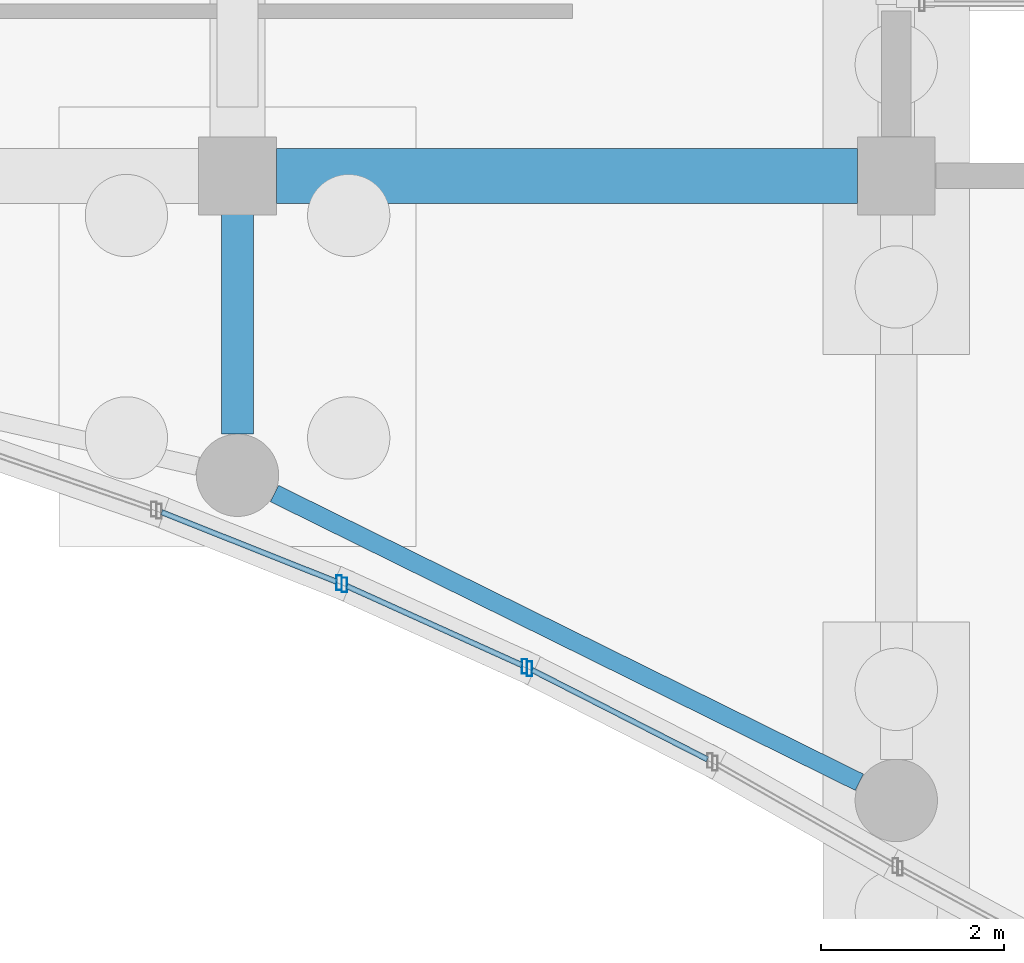
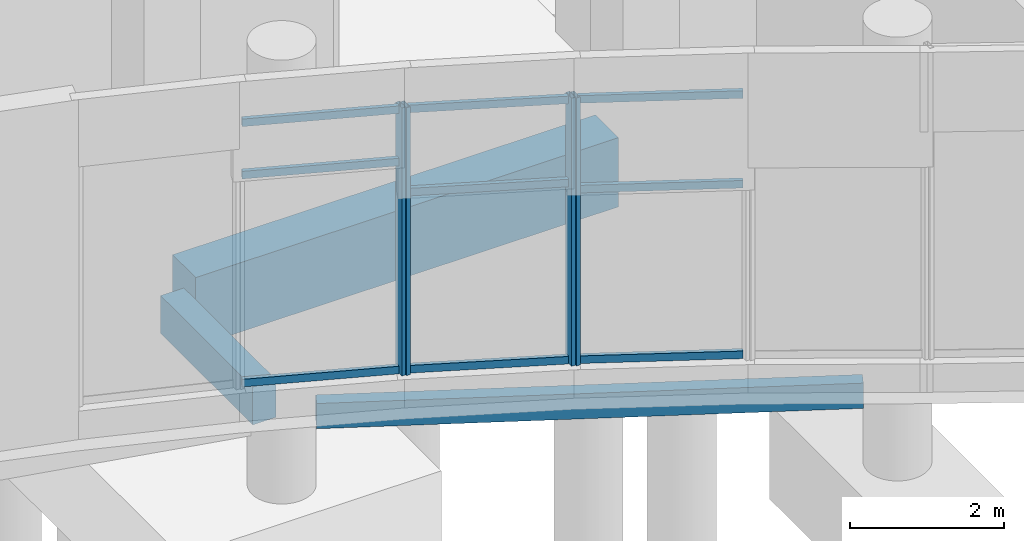
# One storey, part 53 of 192: 13 members, 3 beams, 3 elements without a shape of their own.
"""IFC4 building model written with IfcOpenShell, lengths in metres."""

import ifcopenshell
import ifcopenshell.guid

model = None  # the IFC model being written
_history = None  # IfcOwnerHistory: only IFC2X3 demands one
_inside = {}  # id of a spatial element -> (the spatial element, [elements in it])
_under = {}  # id of a project, library or spatial element -> (it, [spatial elements below it])
_declared = {}  # id of a project -> (the project, [libraries it declares])
_typed = {}  # id of a type object -> (the type object, [elements of that type])
_made_of = {}  # id of a material, layer set ... -> (it, [elements and type objects made of it])


def new_model(schema):
    """Start an empty IFC model of exactly this schema.

    Asked for "IFC4X3", IfcOpenShell would pick the latest addendum, in which some entities
    have other attributes; the version numbers below select the first issue.
    IFC2X3 requires an IfcOwnerHistory on every rooted entity: one is made here for all.
    """
    global model, _history
    if schema == "IFC4X3":
        model = ifcopenshell.file(schema_version=(4, 3, 0, 0))
    else:
        model = ifcopenshell.file(schema=schema)
    _inside.clear()
    _under.clear()
    _declared.clear()
    _typed.clear()
    _made_of.clear()
    _history = None
    if model.schema == "IFC2X3":
        org = make("IfcOrganization", Name="unknown")
        user = make(
            "IfcPersonAndOrganization",
            ThePerson=make("IfcPerson", FamilyName="unknown"),
            TheOrganization=org,
        )
        app = make(
            "IfcApplication",
            ApplicationDeveloper=org,
            Version="unknown",
            ApplicationFullName="unknown",
            ApplicationIdentifier="unknown",
        )
        _history = make(
            "IfcOwnerHistory",
            OwningUser=user,
            OwningApplication=app,
            ChangeAction="ADDED",
            CreationDate=0,
        )
    return model


def make(cls, **values):
    """One entity of the class cls with the attributes given. An attribute that is None is left unset."""
    return model.create_entity(
        cls, **{name: value for name, value in values.items() if value is not None}
    )


def rooted(cls, **values):
    """An entity with a GlobalId (a new one), such as an element, a storey or a relation."""
    return make(cls, GlobalId=ifcopenshell.guid.new(), OwnerHistory=_history, **values)


def si_unit(unit_type, name, prefix=None):
    """IfcSIUnit, for example si_unit("LENGTHUNIT", "METRE", prefix="MILLI")."""
    return make("IfcSIUnit", UnitType=unit_type, Prefix=prefix, Name=name)


def assignment(units):
    """IfcUnitAssignment: the units of a project."""
    return None if units is None else make("IfcUnitAssignment", Units=units)


def point(xyz):
    """IfcCartesianPoint."""
    return None if xyz is None else make("IfcCartesianPoint", Coordinates=xyz)


def direction(xyz):
    """IfcDirection."""
    return None if xyz is None else make("IfcDirection", DirectionRatios=xyz)


def frame(location, z_axis=None, x_axis=None):
    """IfcAxis2Placement3D, a coordinate frame: its origin and axes. An axis left out is left unset."""
    return make(
        "IfcAxis2Placement3D",
        Location=point(location),
        Axis=direction(z_axis),
        RefDirection=direction(x_axis),
    )


def frame_2d(location, x_axis=None):
    """IfcAxis2Placement2D, a coordinate frame in the plane: its origin and x axis."""
    return make(
        "IfcAxis2Placement2D", Location=point(location), RefDirection=direction(x_axis)
    )


def origin():
    """The frame at (0, 0, 0) with its axes left unset."""
    return frame((0.0, 0.0, 0.0))


def origin_2d():
    """The frame at (0, 0) in the plane with its x axis left unset."""
    return frame_2d((0.0, 0.0))


def place(relative_to, where):
    """IfcLocalPlacement: puts the frame where relative to a parent placement (None: the world)."""
    return make(
        "IfcLocalPlacement", PlacementRelTo=relative_to, RelativePlacement=where
    )


def context(
    kind, dimensions, precision=None, world=None, true_north=None, identifier=None
):
    """IfcGeometricRepresentationContext, for example the 3D "Model" context."""
    return make(
        "IfcGeometricRepresentationContext",
        ContextIdentifier=identifier,
        ContextType=kind,
        CoordinateSpaceDimension=dimensions,
        Precision=precision,
        WorldCoordinateSystem=world,
        TrueNorth=true_north,
    )


def subcontext(parent, identifier, kind, view, scale=None):
    """IfcGeometricRepresentationSubContext, for example "Body" below "Model"."""
    return make(
        "IfcGeometricRepresentationSubContext",
        ContextIdentifier=identifier,
        ContextType=kind,
        ParentContext=parent,
        TargetScale=scale,
        TargetView=view,
    )


def project(units=None, contexts=None):
    """IfcProject with its units and contexts."""
    return rooted(
        "IfcProject",
        Name="project",
        RepresentationContexts=contexts,
        UnitsInContext=assignment(units),
    )


def spatial(cls, under=None, at=None, **own):
    """A site, building, storey or space (cls), placed at a placement, below another one or the project."""
    s = rooted(cls, ObjectPlacement=at, **own)
    if under is not None:
        _under.setdefault(under.id(), (under, []))[1].append(s)
    return s


def profile(cls, at=None, kind="AREA", **sizes):
    """A parametric profile (cls). Its sizes go by their IFC names, for example OverallWidth=200.0."""
    return make(cls, ProfileType=kind, Position=at, **sizes)


def rectangle(**sizes):
    """IfcRectangleProfileDef."""
    return profile("IfcRectangleProfileDef", **sizes)


def hollow_rectangle(**sizes):
    """IfcRectangleHollowProfileDef."""
    return profile("IfcRectangleHollowProfileDef", **sizes)


def extrude(swept, where, along, depth):
    """IfcExtrudedAreaSolid: the profile swept, set in the frame where, extruded along a direction by depth."""
    return make(
        "IfcExtrudedAreaSolid",
        SweptArea=swept,
        Position=where,
        ExtrudedDirection=direction(along),
        Depth=depth,
    )


def shape(context_of_items, identifier, shape_type, items):
    """IfcShapeRepresentation: the items that make up one representation, for example the "Body"."""
    return make(
        "IfcShapeRepresentation",
        ContextOfItems=context_of_items,
        RepresentationIdentifier=identifier,
        RepresentationType=shape_type,
        Items=items,
    )


def material(Name=None, Category=None):
    """IfcMaterial."""
    return make("IfcMaterial", Name=Name, Category=Category)


def material_profile(
    of_material, cross_section, Name=None, Category=None, Priority=None
):
    """IfcMaterialProfile: a cross section and its material."""
    return make(
        "IfcMaterialProfile",
        Name=Name,
        Material=of_material,
        Profile=cross_section,
        Priority=Priority,
        Category=Category,
    )


def profile_set(profiles, Name=None, composite=None):
    """IfcMaterialProfileSet."""
    return make(
        "IfcMaterialProfileSet",
        Name=Name,
        MaterialProfiles=profiles,
        CompositeProfile=composite,
    )


def made_of(thing, what):
    """Note that an element or type object is made of a material, layer set ...; save() writes the relation."""
    if what is not None:
        _made_of.setdefault(what.id(), (what, []))[1].append(thing)
    return thing


def type_object(cls, material=None, **own):
    """A type object (cls), such as IfcWallType, which elements share."""
    return made_of(rooted(cls, **own), material)


def element(
    cls,
    number,
    at=None,
    inside=None,
    cuts=None,
    type_object=None,
    material=None,
    context=None,
    identifier="Body",
    shape_type=None,
    held_by="IfcProductDefinitionShape",
    body=None,
    shapes=None,
    **own,
):
    """One element of the class cls, such as IfcWall. Its Tag is "e" and its number.

    at: its placement. inside: the storey or other place that contains it. cuts: it is an
    opening in that element (IfcRelVoidsElement). A single representation is given by context,
    identifier, shape_type and body (its items); several are given by shapes. held_by: the class
    of the entity that holds the representations. save() writes the other relations.
    """
    e = rooted(cls, Tag="e%d" % number, ObjectPlacement=at, **own)
    if body is not None:
        shapes = [shape(context, identifier, shape_type, body)]
    if shapes is not None:
        e.Representation = make(held_by, Representations=shapes)
    if inside is not None:
        _inside.setdefault(inside.id(), (inside, []))[1].append(e)
    if cuts is not None:
        rooted(
            "IfcRelVoidsElement", RelatingBuildingElement=cuts, RelatedOpeningElement=e
        )
    if type_object is not None:
        _typed.setdefault(type_object.id(), (type_object, []))[1].append(e)
    return made_of(e, material)


def aggregate(whole, parts):
    """IfcRelAggregates: a whole, such as a stair, and the parts it consists of."""
    return rooted("IfcRelAggregates", RelatingObject=whole, RelatedObjects=parts)


def save(model, path):
    """Write the relations noted so far, then the file.

    IfcRelAggregates (storeys below a building ...), IfcRelContainedInSpatialStructure (elements
    in a storey), IfcRelDefinesByType, IfcRelAssociatesMaterial and IfcRelDeclares: one each for
    every whole, place, type object, material and project.
    """
    for whole, parts in _under.values():
        aggregate(whole, parts)
    for where, things in _inside.values():
        rooted(
            "IfcRelContainedInSpatialStructure",
            RelatedElements=things,
            RelatingStructure=where,
        )
    for kind, things in _typed.values():
        rooted("IfcRelDefinesByType", RelatedObjects=things, RelatingType=kind)
    for what, things in _made_of.values():
        rooted("IfcRelAssociatesMaterial", RelatedObjects=things, RelatingMaterial=what)
    for by, libraries in _declared.values():
        rooted("IfcRelDeclares", RelatingContext=by, RelatedDefinitions=libraries)
    model.write(path)


model = new_model("IFC4")

# Units and contexts
model_context = context("Model", 3, precision=1e-05, world=origin(), true_north=direction((0.0, 1.0)))
body_context = subcontext(model_context, "Body", "Model", "MODEL_VIEW")
ifc_project = project(units=[si_unit("LENGTHUNIT", "METRE"), si_unit("AREAUNIT", "SQUARE_METRE"), si_unit("VOLUMEUNIT", "CUBIC_METRE"), si_unit("PLANEANGLEUNIT", "RADIAN"), si_unit("MASSUNIT", "GRAM", prefix="KILO")], contexts=[model_context])

# Site, building, storey
site_placement = place(None, origin())
site = spatial("IfcSite", under=ifc_project, at=site_placement, CompositionType="ELEMENT")
building_placement = place(site_placement, origin())
building = spatial("IfcBuilding", under=site, at=building_placement, Name="Cendralis Lancet Convention Centre", CompositionType="ELEMENT")
storey_placement = place(building_placement, origin())
storey = spatial("IfcBuildingStorey", under=building, at=storey_placement, Name="L00", CompositionType="ELEMENT", Elevation=0.0)

# Curtain wall, member
ifc_material_1 = material(Name="Anodised bronze architectural aluminium", Category="aluminium")
curtain_wall_type = type_object("IfcCurtainWallType", Name="ARC-CW-WF01", PredefinedType="USERDEFINED", material=ifc_material_1)
curtain_wall_1_placement = place(storey_placement, origin())
curtain_wall_1 = element("IfcCurtainWall", 1, at=curtain_wall_1_placement, inside=storey, type_object=curtain_wall_type, Name="L00 Curtain Wall CW-WF1 #051", ObjectType="CURTAIN WALL", PredefinedType="USERDEFINED")
ifc_material_profile_1 = material_profile(ifc_material_1, hollow_rectangle(XDim=0.06005859375, YDim=0.159912109375, WallThickness=0.00390625, at=origin_2d()), Name="AL-MULL 60x160x4.0")
ifc_profile_set_1 = profile_set([ifc_material_profile_1], Name="Anodised bronze architectural aluminium")
member_type_1 = type_object("IfcMemberType", Name="ARC-CW-ML01", PredefinedType="MULLION", material=ifc_profile_set_1)
member_1_placement = place(storey_placement, frame((123.510986328125, 9.9521484375, 0.449951171875), z_axis=(0.0, 0.0, 1.0), x_axis=(1.0, 0.0, 0.0)))
member_1 = element("IfcMember", 2, at=member_1_placement, type_object=member_type_1, Name="Mullion CW2-CW-WF1-L00-051-M1", PredefinedType="MULLION", context=body_context, shape_type="SweptSolid", body=[
    extrude(hollow_rectangle(XDim=0.06005859375, YDim=0.159912109375, WallThickness=0.00390625, at=origin_2d()), origin(), (0.0, 0.0, 1.0), 4.255126953125),
])

# Curtain wall, members
curtain_wall_2_placement = place(storey_placement, origin())
curtain_wall_2 = element("IfcCurtainWall", 3, at=curtain_wall_2_placement, inside=storey, type_object=curtain_wall_type, Name="L00 Curtain Wall CW-WF1 #052", ObjectType="CURTAIN WALL", PredefinedType="USERDEFINED")
member_2_placement = place(storey_placement, frame((123.56640625, 9.9287109375, 0.449951171875), z_axis=(0.0, 0.0, 1.0), x_axis=(1.0, 0.0, 0.0)))
member_2 = element("IfcMember", 4, at=member_2_placement, type_object=member_type_1, Name="Mullion CW2-CW-WF1-L00-052-M0", PredefinedType="MULLION", context=body_context, shape_type="SweptSolid", body=[
    extrude(hollow_rectangle(XDim=0.06005859375, YDim=0.159912109375, WallThickness=0.00390625, at=origin_2d()), origin(), (0.0, 0.0, 1.0), 4.255126953125),
])
member_3_placement = place(storey_placement, frame((125.53662109375, 9.039306640625, 0.449951171875), z_axis=(0.0, 0.0, 1.0), x_axis=(1.0, 0.0, 0.0)))
member_3 = element("IfcMember", 5, at=member_3_placement, type_object=member_type_1, Name="Mullion CW2-CW-WF1-L00-052-M1", PredefinedType="MULLION", context=body_context, shape_type="SweptSolid", body=[
    extrude(hollow_rectangle(XDim=0.06005859375, YDim=0.159912109375, WallThickness=0.00390625, at=origin_2d()), origin(), (0.0, 0.0, 1.0), 4.255126953125),
])

# Curtain wall, member
curtain_wall_3_placement = place(storey_placement, origin())
curtain_wall_3 = element("IfcCurtainWall", 6, at=curtain_wall_3_placement, inside=storey, type_object=curtain_wall_type, Name="L00 Curtain Wall CW-WF1 #053", ObjectType="CURTAIN WALL", PredefinedType="USERDEFINED")
member_4_placement = place(storey_placement, frame((125.5908203125, 9.013427734375, 0.449951171875), z_axis=(0.0, 0.0, 1.0), x_axis=(1.0, 0.0, 0.0)))
member_4 = element("IfcMember", 7, at=member_4_placement, type_object=member_type_1, Name="Mullion CW2-CW-WF1-L00-053-M0", PredefinedType="MULLION", context=body_context, shape_type="SweptSolid", body=[
    extrude(hollow_rectangle(XDim=0.06005859375, YDim=0.159912109375, WallThickness=0.00390625, at=origin_2d()), origin(), (0.0, 0.0, 1.0), 4.255126953125),
])

# Member
ifc_material_profile_2 = material_profile(ifc_material_1, hollow_rectangle(XDim=0.06005859375, YDim=0.1201171875, WallThickness=0.00390625, at=origin_2d()), Name="AL-TRAN 60x120x4.0")
ifc_profile_set_2 = profile_set([ifc_material_profile_2], Name="Anodised bronze architectural aluminium")
member_type_2 = type_object("IfcMemberType", Name="ARC-CW-TR01", PredefinedType="USERDEFINED", material=ifc_profile_set_2)
member_5_placement = place(storey_placement, frame((121.56982421875, 10.723876953125, 0.510009765625), z_axis=(0.929243371429, -0.369468207908, 0.0), x_axis=(0.369468207908, 0.929243371429, 0.0)))
member_5 = element("IfcMember", 8, at=member_5_placement, type_object=member_type_2, Name="Transom CW2-CW-WF1-L00-051-T0BOT", ObjectType="TRANSOM", PredefinedType="USERDEFINED", context=body_context, shape_type="SweptSolid", body=[
    extrude(hollow_rectangle(XDim=0.06005859375, YDim=0.1201171875, WallThickness=0.00390625, at=origin_2d()), origin(), (0.0, 0.0, 1.0), 2.05908203125),
])

member_6_placement = place(storey_placement, frame((121.56982421875, 10.723876953125, 3.81396484375), z_axis=(0.929243371429, -0.369468207908, 0.0), x_axis=(0.369468207908, 0.929243371429, 0.0)))
member_6 = element("IfcMember", 9, at=member_6_placement, type_object=member_type_2, Name="Transom CW2-CW-WF1-L00-051-T0MID", ObjectType="TRANSOM", PredefinedType="USERDEFINED", context=body_context, shape_type="SweptSolid", body=[
    extrude(hollow_rectangle(XDim=0.06005859375, YDim=0.1201171875, WallThickness=0.00390625, at=origin_2d()), origin(), (0.0, 0.0, 1.0), 2.05908203125),
])

member_7_placement = place(storey_placement, frame((121.56982421875, 10.723876953125, 4.64501953125), z_axis=(0.929243371429, -0.369468207908, 0.0), x_axis=(0.369468207908, 0.929243371429, 0.0)))
member_7 = element("IfcMember", 10, at=member_7_placement, type_object=member_type_2, Name="Transom CW2-CW-WF1-L00-051-T0TOP", ObjectType="TRANSOM", PredefinedType="USERDEFINED", context=body_context, shape_type="SweptSolid", body=[
    extrude(hollow_rectangle(XDim=0.06005859375, YDim=0.1201171875, WallThickness=0.00390625, at=origin_2d()), origin(), (0.0, 0.0, 1.0), 2.05908203125),
])

aggregate(curtain_wall_1, [member_1, member_5, member_6, member_7])

member_8_placement = place(storey_placement, frame((123.59375, 9.916259765625, 0.510009765625), z_axis=(0.911473186873, -0.411359489513, 0.0), x_axis=(0.411359489513, 0.911473186873, 0.0)))
member_8 = element("IfcMember", 11, at=member_8_placement, type_object=member_type_2, Name="Transom CW2-CW-WF1-L00-052-T0BOT", ObjectType="TRANSOM", PredefinedType="USERDEFINED", context=body_context, shape_type="SweptSolid", body=[
    extrude(hollow_rectangle(XDim=0.06005859375, YDim=0.1201171875, WallThickness=0.00390625, at=origin_2d()), origin(), (0.0, 0.0, 1.0), 2.1015625),
])

member_9_placement = place(storey_placement, frame((123.59375, 9.916259765625, 3.324951171875), z_axis=(0.911473186873, -0.411359489513, 0.0), x_axis=(0.411359489513, 0.911473186873, 0.0)))
member_9 = element("IfcMember", 12, at=member_9_placement, type_object=member_type_2, Name="Transom CW2-CW-WF1-L00-052-T0MID", ObjectType="TRANSOM", PredefinedType="USERDEFINED", context=body_context, shape_type="SweptSolid", body=[
    extrude(hollow_rectangle(XDim=0.06005859375, YDim=0.1201171875, WallThickness=0.00390625, at=origin_2d()), origin(), (0.0, 0.0, 1.0), 2.1015625),
])

member_10_placement = place(storey_placement, frame((123.59375, 9.916259765625, 4.64501953125), z_axis=(0.911473186873, -0.411359489513, 0.0), x_axis=(0.411359489513, 0.911473186873, 0.0)))
member_10 = element("IfcMember", 13, at=member_10_placement, type_object=member_type_2, Name="Transom CW2-CW-WF1-L00-052-T0TOP", ObjectType="TRANSOM", PredefinedType="USERDEFINED", context=body_context, shape_type="SweptSolid", body=[
    extrude(hollow_rectangle(XDim=0.06005859375, YDim=0.1201171875, WallThickness=0.00390625, at=origin_2d()), origin(), (0.0, 0.0, 1.0), 2.1015625),
])

aggregate(curtain_wall_2, [member_2, member_3, member_8, member_9, member_10])

member_11_placement = place(storey_placement, frame((125.617431640625, 8.999755859375, 0.510009765625), z_axis=(0.891069771532, -0.453866348456, 0.0), x_axis=(0.453866348456, 0.891069771532, 0.0)))
member_11 = element("IfcMember", 14, at=member_11_placement, type_object=member_type_2, Name="Transom CW2-CW-WF1-L00-053-T0BOT", ObjectType="TRANSOM", PredefinedType="USERDEFINED", context=body_context, shape_type="SweptSolid", body=[
    extrude(hollow_rectangle(XDim=0.06005859375, YDim=0.1201171875, WallThickness=0.00390625, at=origin_2d()), origin(), (0.0, 0.0, 1.0), 2.15380859375),
])

member_12_placement = place(storey_placement, frame((125.617431640625, 8.999755859375, 3.219970703125), z_axis=(0.891069771532, -0.453866348456, 0.0), x_axis=(0.453866348456, 0.891069771532, 0.0)))
member_12 = element("IfcMember", 15, at=member_12_placement, type_object=member_type_2, Name="Transom CW2-CW-WF1-L00-053-T0MID", ObjectType="TRANSOM", PredefinedType="USERDEFINED", context=body_context, shape_type="SweptSolid", body=[
    extrude(hollow_rectangle(XDim=0.06005859375, YDim=0.1201171875, WallThickness=0.00390625, at=origin_2d()), origin(), (0.0, 0.0, 1.0), 2.15380859375),
])

member_13_placement = place(storey_placement, frame((125.617431640625, 8.999755859375, 4.64501953125), z_axis=(0.891069771532, -0.453866348456, 0.0), x_axis=(0.453866348456, 0.891069771532, 0.0)))
member_13 = element("IfcMember", 16, at=member_13_placement, type_object=member_type_2, Name="Transom CW2-CW-WF1-L00-053-T0TOP", ObjectType="TRANSOM", PredefinedType="USERDEFINED", context=body_context, shape_type="SweptSolid", body=[
    extrude(hollow_rectangle(XDim=0.06005859375, YDim=0.1201171875, WallThickness=0.00390625, at=origin_2d()), origin(), (0.0, 0.0, 1.0), 2.15380859375),
])

aggregate(curtain_wall_3, [member_4, member_11, member_12, member_13])

# Beams
ifc_material_2 = material(Name="Concrete G40 (C40/50)", Category="concrete")
ifc_material_profile_3 = material_profile(ifc_material_2, rectangle(XDim=0.60009765625, YDim=1.10009765625, at=origin_2d()), Name="RCB 600x1100")
ifc_profile_set_3 = profile_set([ifc_material_profile_3], Name="Concrete G40 (C40/50)")
beam_type_1 = type_object("IfcBeamType", Name="STR-BM-BG02", PredefinedType="BEAM", material=ifc_profile_set_3)
beam_1_placement = place(storey_placement, frame((122.824951171875, 14.39990234375, -0.8701171875), z_axis=(1.0, 0.0, 0.0), x_axis=(0.0, 1.0, 0.0)))
element("IfcBeam", 17, at=beam_1_placement, inside=storey, type_object=beam_type_1, Name="L00 Beam BG02 #0671", PredefinedType="BEAM", context=body_context, shape_type="SweptSolid", body=[
    extrude(rectangle(XDim=0.60009765625, YDim=1.10009765625, at=origin_2d()), origin(), (0.0, 0.0, 1.0), 6.35009765625),
])
ifc_material_3 = material(Name="Concrete G35 (C35/45)", Category="concrete")
ifc_material_profile_4 = material_profile(ifc_material_3, rectangle(XDim=0.35009765625, YDim=0.60009765625, at=origin_2d()), Name="RCB 350x600")
ifc_profile_set_4 = profile_set([ifc_material_profile_4], Name="Concrete G35 (C35/45)")
beam_type_2 = type_object("IfcBeamType", Name="STR-BM-BG16", PredefinedType="BEAM", material=ifc_profile_set_4)
beam_2_placement = place(storey_placement, frame((122.39990234375, 11.576904296875, -0.6201171875), z_axis=(0.0, 1.0, 0.0), x_axis=(-1.0, 0.0, 0.0)))
element("IfcBeam", 18, at=beam_2_placement, inside=storey, type_object=beam_type_2, Name="L00 Beam BG16 #1024", PredefinedType="BEAM", context=body_context, shape_type="SweptSolid", body=[
    extrude(rectangle(XDim=0.35009765625, YDim=0.60009765625, at=origin_2d()), origin(), (0.0, 0.0, 1.0), 2.398193359375),
])
ifc_material_4 = material(Name="Steel S355", Category="steel")
ifc_material_profile_5 = material_profile(ifc_material_4, hollow_rectangle(XDim=0.199951171875, YDim=0.39990234375, WallThickness=0.01416015625, at=origin_2d()), Name="RHS 400x200x14.2")
ifc_profile_set_5 = profile_set([ifc_material_profile_5], Name="Steel S355")
beam_type_3 = type_object("IfcBeamType", Name="STR-SP-SP03", PredefinedType="SPANDREL", material=ifc_profile_set_5)
beam_3_placement = place(storey_placement, frame((122.803466796875, 10.927734375, -0.52001953125), z_axis=(0.896702963245, -0.442632800081, 0.0), x_axis=(0.442632800081, 0.896702963245, 0.0)))
element("IfcBeam", 19, at=beam_3_placement, inside=storey, type_object=beam_type_3, Name="L00 Beam SP03 #1039", PredefinedType="SPANDREL", context=body_context, shape_type="SweptSolid", body=[
    extrude(hollow_rectangle(XDim=0.199951171875, YDim=0.39990234375, WallThickness=0.01416015625, at=origin_2d()), origin(), (0.0, 0.0, 1.0), 7.129638671875),
])

save(model, "model.ifc")
